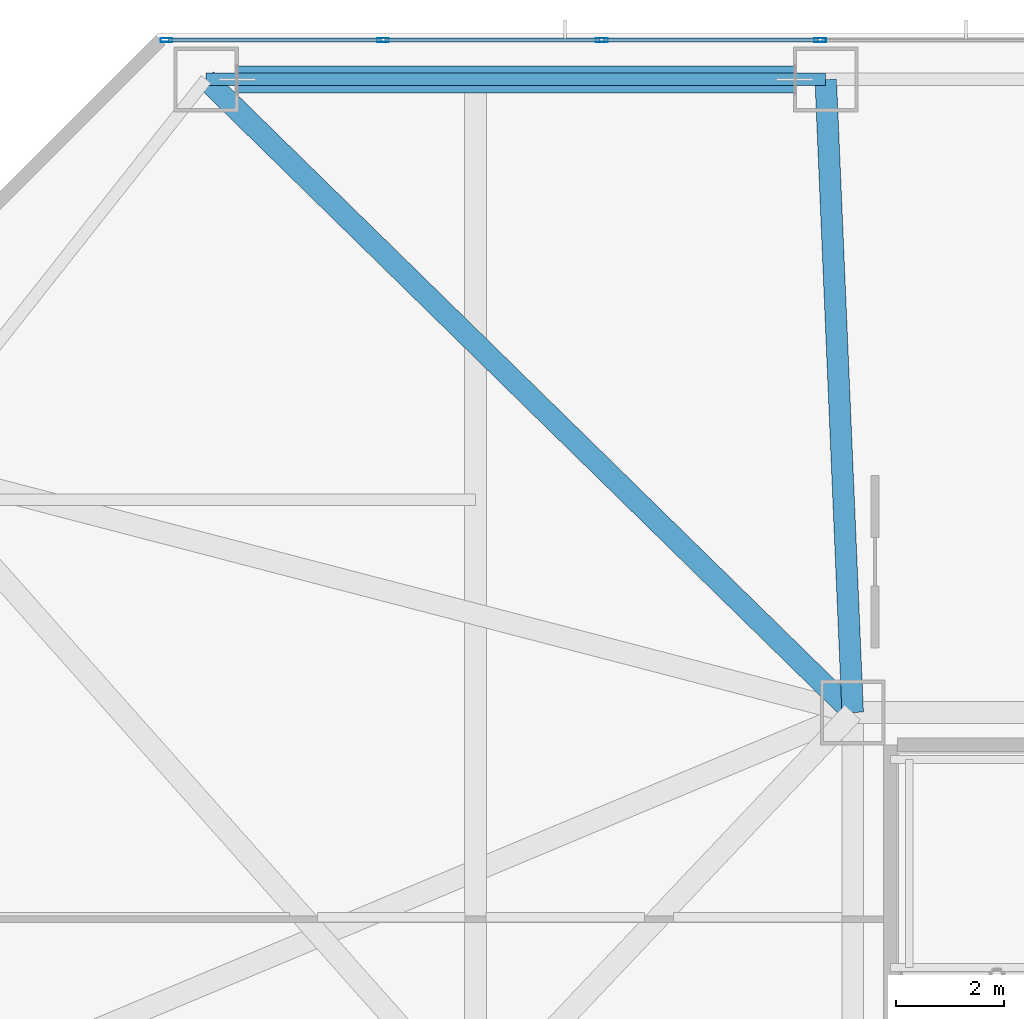
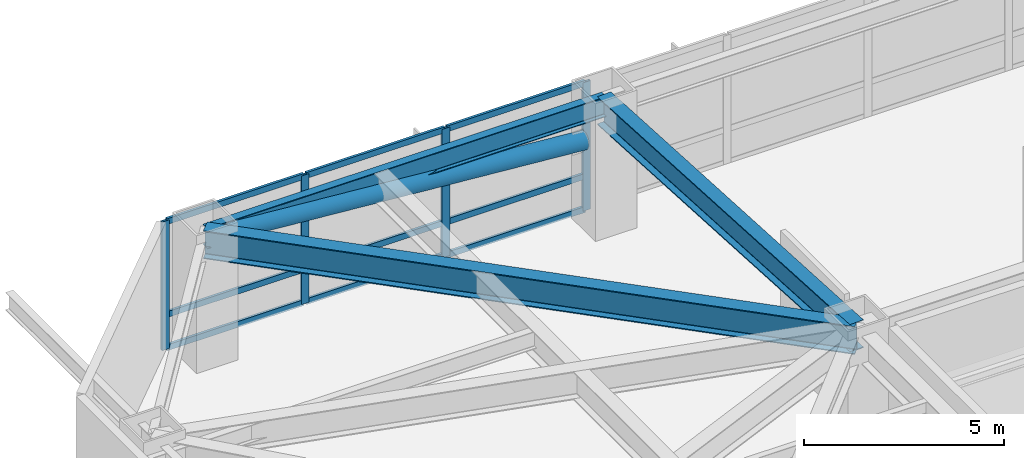
# One storey, part 3 of 25: 14 members, 3 beams, 1 element without a shape of its own.
"""IFC4 building model written with IfcOpenShell, lengths in metres."""

from ifc_helpers import new_model, si_unit, direction, frame, origin, origin_2d, place, context, subcontext, project, spatial, hollow_rectangle, hollow_circle, i_section, extrude, material, material_profile, profile_set, type_object, element, aggregate, save


model = new_model("IFC4")

# Units and contexts
model_context = context("Model", 3, precision=1e-05, world=origin(), true_north=direction((0.0, 1.0)))
body_context = subcontext(model_context, "Body", "Model", "MODEL_VIEW")
ifc_project = project(units=[si_unit("LENGTHUNIT", "METRE"), si_unit("AREAUNIT", "SQUARE_METRE"), si_unit("VOLUMEUNIT", "CUBIC_METRE"), si_unit("PLANEANGLEUNIT", "RADIAN"), si_unit("MASSUNIT", "GRAM", prefix="KILO")], contexts=[model_context])

# Site, building, storey
site_placement = place(None, origin())
site = spatial("IfcSite", under=ifc_project, at=site_placement, CompositionType="ELEMENT")
building_placement = place(site_placement, origin())
building = spatial("IfcBuilding", under=site, at=building_placement, Name="Khamvora Tower", CompositionType="ELEMENT")
storey_placement = place(building_placement, frame((0.0, 0.0, 24.60009765625)))
storey = spatial("IfcBuildingStorey", under=building, at=storey_placement, Name="L05", CompositionType="ELEMENT", Elevation=24.60009765625)

# Beams
ifc_material_1 = material(Name="Steel S355", Category="steel")
ifc_material_profile_1 = material_profile(ifc_material_1, i_section(OverallWidth=0.39990234375, OverallDepth=0.85498046875, WebThickness=0.01806640625, FlangeThickness=0.029052734375, FilletRadius=0.01806640625, at=origin_2d()), Name="W840x299")
ifc_profile_set_1 = profile_set([ifc_material_profile_1], Name="Steel S355")
beam_type_1 = type_object("IfcBeamType", Name="BM-PG-W840x299", PredefinedType="BEAM", material=ifc_profile_set_1)
beam_1_placement = place(storey_placement, frame((18.5, 43.39990234375, 3.492919921875), z_axis=(-0.714510426493, 0.699624792608, 0.0), x_axis=(-0.699624792608, -0.714510426493, 0.0)))
element("IfcBeam", 1, at=beam_1_placement, inside=storey, type_object=beam_type_1, Name="L05 primary floor girder P05", PredefinedType="BEAM", context=body_context, shape_type="SweptSolid", body=[
    extrude(i_section(OverallWidth=0.39990234375, OverallDepth=0.85498046875, WebThickness=0.01806640625, FlangeThickness=0.029052734375, FilletRadius=0.01806640625, at=origin_2d()), origin(), (0.0, 0.0, 1.0), 16.794677734375),
])
beam_2_placement = place(storey_placement, frame((18.5, 43.39990234375, 3.492919921875), z_axis=(-0.042514716625, 0.999095840683, 0.0), x_axis=(-0.999095840683, -0.042514716625, 0.0)))
element("IfcBeam", 2, at=beam_2_placement, inside=storey, type_object=beam_type_1, Name="L05 primary floor girder P06", PredefinedType="BEAM", context=body_context, shape_type="SweptSolid", body=[
    extrude(i_section(OverallWidth=0.39990234375, OverallDepth=0.85498046875, WebThickness=0.01806640625, FlangeThickness=0.029052734375, FilletRadius=0.01806640625, at=origin_2d()), origin(), (0.0, 0.0, 1.0), 11.7607421875),
])
ifc_material_profile_2 = material_profile(ifc_material_1, i_section(OverallWidth=0.22998046875, OverallDepth=0.616943359375, WebThickness=0.012939453125, FlangeThickness=0.02197265625, FilletRadius=0.013916015625, at=origin_2d()), Name="W610x140")
ifc_profile_set_2 = profile_set([ifc_material_profile_2], Name="Steel S355")
beam_type_2 = type_object("IfcBeamType", Name="BM-SP-W610x140", PredefinedType="SPANDREL", material=ifc_profile_set_2)
beam_3_placement = place(storey_placement, frame((18.0, 55.14990234375, 3.61181640625), z_axis=(-1.0, 0.0, 0.0), x_axis=(0.0, -1.0, 0.0)))
element("IfcBeam", 3, at=beam_3_placement, inside=storey, type_object=beam_type_2, Name="L05 perimeter spandrel beam P06-P05", PredefinedType="SPANDREL", context=body_context, shape_type="SweptSolid", body=[
    extrude(i_section(OverallWidth=0.22998046875, OverallDepth=0.616943359375, WebThickness=0.012939453125, FlangeThickness=0.02197265625, FilletRadius=0.013916015625, at=origin_2d()), origin(), (0.0, 0.0, 1.0), 11.5),
])

# Curtain wall, members
ifc_material_2 = material(Name="Anodised Aluminium 6063-T6", Category="aluminium")
curtain_wall_type = type_object("IfcCurtainWallType", Name="CW-SYS-01", PredefinedType="NOTDEFINED", material=ifc_material_2)
curtain_wall_placement = place(storey_placement, origin())
curtain_wall = element("IfcCurtainWall", 4, at=curtain_wall_placement, inside=storey, type_object=curtain_wall_type, Name="L05 stick curtain wall 07.1", PredefinedType="NOTDEFINED")
ifc_material_profile_3 = material_profile(ifc_material_2, hollow_rectangle(XDim=0.074951171875, YDim=0.219970703125, WallThickness=0.0048828125, at=origin_2d()), Name="MUL75x220x5")
ifc_profile_set_3 = profile_set([ifc_material_profile_3], Name="Anodised Aluminium 6063-T6")
member_type_1 = type_object("IfcMemberType", Name="CW-SYS-01-MUL", PredefinedType="MULLION", material=ifc_profile_set_3)
member_1_placement = place(storey_placement, frame((5.764404296875, 55.8798828125, 0.0), z_axis=(0.0, 0.0, 1.0), x_axis=(0.0, 1.0, 0.0)))
member_1 = element("IfcMember", 5, at=member_1_placement, type_object=member_type_1, Name="CW-01 mullion 1", PredefinedType="MULLION", context=body_context, shape_type="SweptSolid", body=[
    extrude(hollow_rectangle(XDim=0.074951171875, YDim=0.219970703125, WallThickness=0.0048828125, at=origin_2d()), origin(), (0.0, 0.0, 1.0), 3.919921875),
])
member_2_placement = place(storey_placement, frame((9.78369140625, 55.8798828125, 0.0), z_axis=(0.0, 0.0, 1.0), x_axis=(0.0, 1.0, 0.0)))
member_2 = element("IfcMember", 6, at=member_2_placement, type_object=member_type_1, Name="CW-01 mullion 2", PredefinedType="MULLION", context=body_context, shape_type="SweptSolid", body=[
    extrude(hollow_rectangle(XDim=0.074951171875, YDim=0.219970703125, WallThickness=0.0048828125, at=origin_2d()), origin(), (0.0, 0.0, 1.0), 3.919921875),
])
member_3_placement = place(storey_placement, frame((13.84033203125, 55.8798828125, 0.0), z_axis=(0.0, 0.0, 1.0), x_axis=(0.0, 1.0, 0.0)))
member_3 = element("IfcMember", 7, at=member_3_placement, type_object=member_type_1, Name="CW-01 mullion 3", PredefinedType="MULLION", context=body_context, shape_type="SweptSolid", body=[
    extrude(hollow_rectangle(XDim=0.074951171875, YDim=0.219970703125, WallThickness=0.0048828125, at=origin_2d()), origin(), (0.0, 0.0, 1.0), 3.919921875),
])
member_4_placement = place(storey_placement, frame((17.89697265625, 55.8798828125, 0.0), z_axis=(0.0, 0.0, 1.0), x_axis=(0.0, 1.0, 0.0)))
member_4 = element("IfcMember", 8, at=member_4_placement, type_object=member_type_1, Name="CW-01 mullion 4", PredefinedType="MULLION", context=body_context, shape_type="SweptSolid", body=[
    extrude(hollow_rectangle(XDim=0.074951171875, YDim=0.219970703125, WallThickness=0.0048828125, at=origin_2d()), origin(), (0.0, 0.0, 1.0), 3.919921875),
])
ifc_material_profile_4 = material_profile(ifc_material_2, hollow_rectangle(XDim=0.074951171875, YDim=0.179931640625, WallThickness=0.0048828125, at=origin_2d()), Name="TRN75x180x5")
ifc_profile_set_4 = profile_set([ifc_material_profile_4], Name="Anodised Aluminium 6063-T6")
member_type_2 = type_object("IfcMemberType", Name="CW-SYS-01-TRN", PredefinedType="USERDEFINED", material=ifc_profile_set_4)
member_5_placement = place(storey_placement, frame((5.802001953125, 55.8798828125, 0.037353515625), z_axis=(1.0, 0.0, 0.0), x_axis=(0.0, 1.0, 0.0)))
member_5 = element("IfcMember", 9, at=member_5_placement, type_object=member_type_2, Name="CW-01 transom 1.1", ObjectType="TRANSOM", PredefinedType="USERDEFINED", context=body_context, shape_type="SweptSolid", body=[
    extrude(hollow_rectangle(XDim=0.074951171875, YDim=0.179931640625, WallThickness=0.0048828125, at=origin_2d()), origin(), (0.0, 0.0, 1.0), 3.944091796875),
])
member_6_placement = place(storey_placement, frame((5.802001953125, 55.8798828125, 1.0498046875), z_axis=(1.0, 0.0, 0.0), x_axis=(0.0, 1.0, 0.0)))
member_6 = element("IfcMember", 10, at=member_6_placement, type_object=member_type_2, Name="CW-01 transom 1.2", ObjectType="TRANSOM", PredefinedType="USERDEFINED", context=body_context, shape_type="SweptSolid", body=[
    extrude(hollow_rectangle(XDim=0.074951171875, YDim=0.179931640625, WallThickness=0.0048828125, at=origin_2d()), origin(), (0.0, 0.0, 1.0), 3.944091796875),
])
member_7_placement = place(storey_placement, frame((5.802001953125, 55.8798828125, 3.88232421875), z_axis=(1.0, 0.0, 0.0), x_axis=(0.0, 1.0, 0.0)))
member_7 = element("IfcMember", 11, at=member_7_placement, type_object=member_type_2, Name="CW-01 transom 1.3", ObjectType="TRANSOM", PredefinedType="USERDEFINED", context=body_context, shape_type="SweptSolid", body=[
    extrude(hollow_rectangle(XDim=0.074951171875, YDim=0.179931640625, WallThickness=0.0048828125, at=origin_2d()), origin(), (0.0, 0.0, 1.0), 3.944091796875),
])
member_8_placement = place(storey_placement, frame((9.821044921875, 55.8798828125, 0.037353515625), z_axis=(1.0, 0.0, 0.0), x_axis=(0.0, 1.0, 0.0)))
member_8 = element("IfcMember", 12, at=member_8_placement, type_object=member_type_2, Name="CW-01 transom 2.1", ObjectType="TRANSOM", PredefinedType="USERDEFINED", context=body_context, shape_type="SweptSolid", body=[
    extrude(hollow_rectangle(XDim=0.074951171875, YDim=0.179931640625, WallThickness=0.0048828125, at=origin_2d()), origin(), (0.0, 0.0, 1.0), 3.981689453125),
])
member_9_placement = place(storey_placement, frame((9.821044921875, 55.8798828125, 1.0498046875), z_axis=(1.0, 0.0, 0.0), x_axis=(0.0, 1.0, 0.0)))
member_9 = element("IfcMember", 13, at=member_9_placement, type_object=member_type_2, Name="CW-01 transom 2.2", ObjectType="TRANSOM", PredefinedType="USERDEFINED", context=body_context, shape_type="SweptSolid", body=[
    extrude(hollow_rectangle(XDim=0.074951171875, YDim=0.179931640625, WallThickness=0.0048828125, at=origin_2d()), origin(), (0.0, 0.0, 1.0), 3.981689453125),
])
member_10_placement = place(storey_placement, frame((9.821044921875, 55.8798828125, 3.88232421875), z_axis=(1.0, 0.0, 0.0), x_axis=(0.0, 1.0, 0.0)))
member_10 = element("IfcMember", 14, at=member_10_placement, type_object=member_type_2, Name="CW-01 transom 2.3", ObjectType="TRANSOM", PredefinedType="USERDEFINED", context=body_context, shape_type="SweptSolid", body=[
    extrude(hollow_rectangle(XDim=0.074951171875, YDim=0.179931640625, WallThickness=0.0048828125, at=origin_2d()), origin(), (0.0, 0.0, 1.0), 3.981689453125),
])
member_11_placement = place(storey_placement, frame((13.877685546875, 55.8798828125, 0.037353515625), z_axis=(1.0, 0.0, 0.0), x_axis=(0.0, 1.0, 0.0)))
member_11 = element("IfcMember", 15, at=member_11_placement, type_object=member_type_2, Name="CW-01 transom 3.1", ObjectType="TRANSOM", PredefinedType="USERDEFINED", context=body_context, shape_type="SweptSolid", body=[
    extrude(hollow_rectangle(XDim=0.074951171875, YDim=0.179931640625, WallThickness=0.0048828125, at=origin_2d()), origin(), (0.0, 0.0, 1.0), 3.981689453125),
])
member_12_placement = place(storey_placement, frame((13.877685546875, 55.8798828125, 1.0498046875), z_axis=(1.0, 0.0, 0.0), x_axis=(0.0, 1.0, 0.0)))
member_12 = element("IfcMember", 16, at=member_12_placement, type_object=member_type_2, Name="CW-01 transom 3.2", ObjectType="TRANSOM", PredefinedType="USERDEFINED", context=body_context, shape_type="SweptSolid", body=[
    extrude(hollow_rectangle(XDim=0.074951171875, YDim=0.179931640625, WallThickness=0.0048828125, at=origin_2d()), origin(), (0.0, 0.0, 1.0), 3.981689453125),
])
member_13_placement = place(storey_placement, frame((13.877685546875, 55.8798828125, 3.88232421875), z_axis=(1.0, 0.0, 0.0), x_axis=(0.0, 1.0, 0.0)))
member_13 = element("IfcMember", 17, at=member_13_placement, type_object=member_type_2, Name="CW-01 transom 3.3", ObjectType="TRANSOM", PredefinedType="USERDEFINED", context=body_context, shape_type="SweptSolid", body=[
    extrude(hollow_rectangle(XDim=0.074951171875, YDim=0.179931640625, WallThickness=0.0048828125, at=origin_2d()), origin(), (0.0, 0.0, 1.0), 3.981689453125),
])
aggregate(curtain_wall, [member_1, member_2, member_3, member_4, member_5, member_6, member_7, member_8, member_9, member_10, member_11, member_12, member_13])

# Member
ifc_material_3 = material(Name="Steel S460", Category="steel")
ifc_material_profile_5 = material_profile(ifc_material_3, hollow_circle(Radius=0.25390625, WallThickness=0.02490234375, at=origin_2d()), Name="CHS508x25")
ifc_profile_set_5 = profile_set([ifc_material_profile_5], Name="Steel S460")
member_type_3 = type_object("IfcMemberType", Name="MEM-BR-CHS508", PredefinedType="BRACE", material=ifc_profile_set_5)
member_14_placement = place(storey_placement, frame((17.422119140625, 55.14990234375, 2.726806640625), z_axis=(-0.996733604617, 0.0, 0.080759652222), x_axis=(0.0, -1.0, 0.0)))
element("IfcMember", 18, at=member_14_placement, inside=storey, type_object=member_type_3, Name="L05 perimeter wind brace 3", PredefinedType="BRACE", context=body_context, shape_type="SweptSolid", body=[
    extrude(hollow_circle(Radius=0.25390625, WallThickness=0.02490234375, at=origin_2d()), origin(), (0.0, 0.0, 1.0), 10.378173828125),
])

save(model, "model.ifc")
